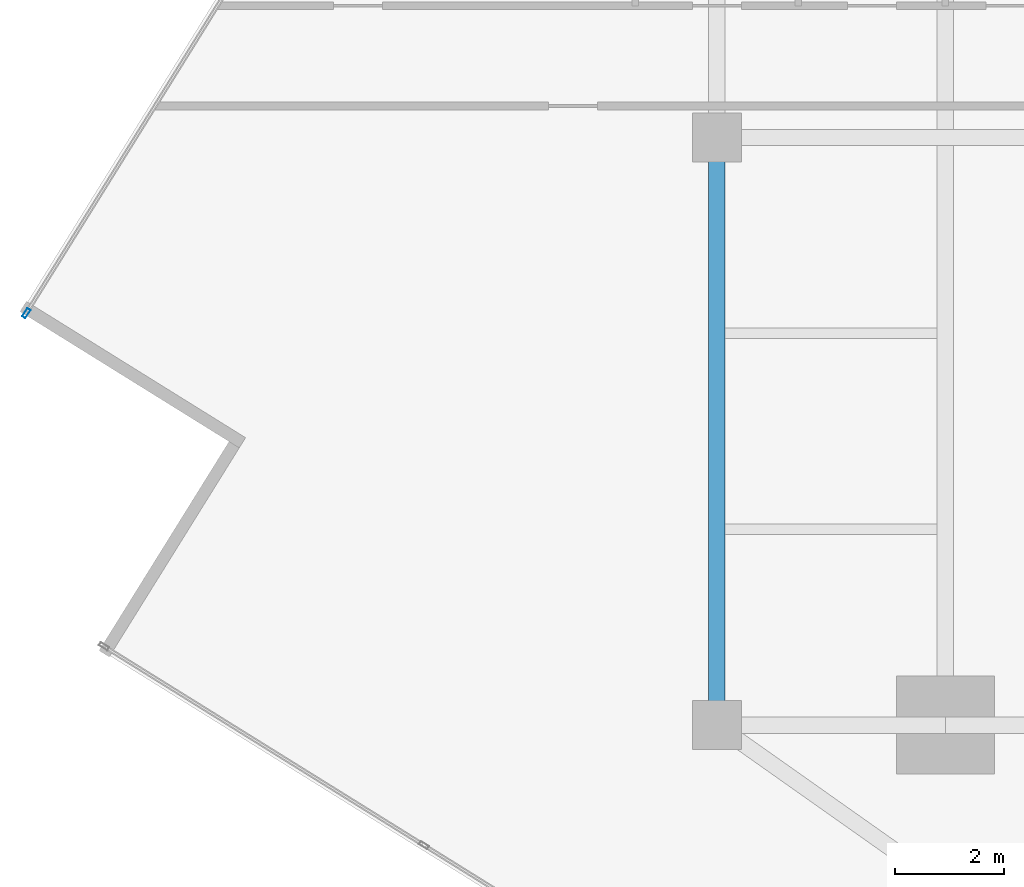
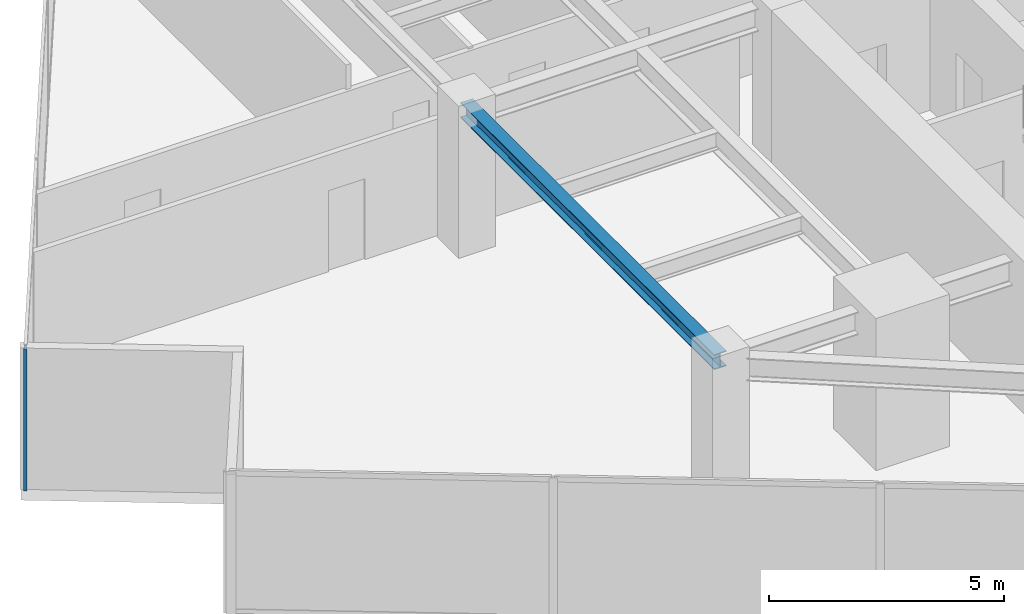
# One storey, part 6 of 25: 1 beam, 1 member, 1 element without a shape of its own.
"""IFC4 building model written with IfcOpenShell, lengths in metres."""

import ifcopenshell
import ifcopenshell.guid

model = None  # the IFC model being written
_history = None  # IfcOwnerHistory: only IFC2X3 demands one
_inside = {}  # id of a spatial element -> (the spatial element, [elements in it])
_under = {}  # id of a project, library or spatial element -> (it, [spatial elements below it])
_declared = {}  # id of a project -> (the project, [libraries it declares])
_typed = {}  # id of a type object -> (the type object, [elements of that type])
_made_of = {}  # id of a material, layer set ... -> (it, [elements and type objects made of it])


def new_model(schema):
    """Start an empty IFC model of exactly this schema.

    Asked for "IFC4X3", IfcOpenShell would pick the latest addendum, in which some entities
    have other attributes; the version numbers below select the first issue.
    IFC2X3 requires an IfcOwnerHistory on every rooted entity: one is made here for all.
    """
    global model, _history
    if schema == "IFC4X3":
        model = ifcopenshell.file(schema_version=(4, 3, 0, 0))
    else:
        model = ifcopenshell.file(schema=schema)
    _inside.clear()
    _under.clear()
    _declared.clear()
    _typed.clear()
    _made_of.clear()
    _history = None
    if model.schema == "IFC2X3":
        org = make("IfcOrganization", Name="unknown")
        user = make(
            "IfcPersonAndOrganization",
            ThePerson=make("IfcPerson", FamilyName="unknown"),
            TheOrganization=org,
        )
        app = make(
            "IfcApplication",
            ApplicationDeveloper=org,
            Version="unknown",
            ApplicationFullName="unknown",
            ApplicationIdentifier="unknown",
        )
        _history = make(
            "IfcOwnerHistory",
            OwningUser=user,
            OwningApplication=app,
            ChangeAction="ADDED",
            CreationDate=0,
        )
    return model


def make(cls, **values):
    """One entity of the class cls with the attributes given. An attribute that is None is left unset."""
    return model.create_entity(
        cls, **{name: value for name, value in values.items() if value is not None}
    )


def rooted(cls, **values):
    """An entity with a GlobalId (a new one), such as an element, a storey or a relation."""
    return make(cls, GlobalId=ifcopenshell.guid.new(), OwnerHistory=_history, **values)


def si_unit(unit_type, name, prefix=None):
    """IfcSIUnit, for example si_unit("LENGTHUNIT", "METRE", prefix="MILLI")."""
    return make("IfcSIUnit", UnitType=unit_type, Prefix=prefix, Name=name)


def assignment(units):
    """IfcUnitAssignment: the units of a project."""
    return None if units is None else make("IfcUnitAssignment", Units=units)


def point(xyz):
    """IfcCartesianPoint."""
    return None if xyz is None else make("IfcCartesianPoint", Coordinates=xyz)


def direction(xyz):
    """IfcDirection."""
    return None if xyz is None else make("IfcDirection", DirectionRatios=xyz)


def frame(location, z_axis=None, x_axis=None):
    """IfcAxis2Placement3D, a coordinate frame: its origin and axes. An axis left out is left unset."""
    return make(
        "IfcAxis2Placement3D",
        Location=point(location),
        Axis=direction(z_axis),
        RefDirection=direction(x_axis),
    )


def frame_2d(location, x_axis=None):
    """IfcAxis2Placement2D, a coordinate frame in the plane: its origin and x axis."""
    return make(
        "IfcAxis2Placement2D", Location=point(location), RefDirection=direction(x_axis)
    )


def origin():
    """The frame at (0, 0, 0) with its axes left unset."""
    return frame((0.0, 0.0, 0.0))


def origin_2d():
    """The frame at (0, 0) in the plane with its x axis left unset."""
    return frame_2d((0.0, 0.0))


def place(relative_to, where):
    """IfcLocalPlacement: puts the frame where relative to a parent placement (None: the world)."""
    return make(
        "IfcLocalPlacement", PlacementRelTo=relative_to, RelativePlacement=where
    )


def context(
    kind, dimensions, precision=None, world=None, true_north=None, identifier=None
):
    """IfcGeometricRepresentationContext, for example the 3D "Model" context."""
    return make(
        "IfcGeometricRepresentationContext",
        ContextIdentifier=identifier,
        ContextType=kind,
        CoordinateSpaceDimension=dimensions,
        Precision=precision,
        WorldCoordinateSystem=world,
        TrueNorth=true_north,
    )


def subcontext(parent, identifier, kind, view, scale=None):
    """IfcGeometricRepresentationSubContext, for example "Body" below "Model"."""
    return make(
        "IfcGeometricRepresentationSubContext",
        ContextIdentifier=identifier,
        ContextType=kind,
        ParentContext=parent,
        TargetScale=scale,
        TargetView=view,
    )


def project(units=None, contexts=None):
    """IfcProject with its units and contexts."""
    return rooted(
        "IfcProject",
        Name="project",
        RepresentationContexts=contexts,
        UnitsInContext=assignment(units),
    )


def spatial(cls, under=None, at=None, **own):
    """A site, building, storey or space (cls), placed at a placement, below another one or the project."""
    s = rooted(cls, ObjectPlacement=at, **own)
    if under is not None:
        _under.setdefault(under.id(), (under, []))[1].append(s)
    return s


def profile(cls, at=None, kind="AREA", **sizes):
    """A parametric profile (cls). Its sizes go by their IFC names, for example OverallWidth=200.0."""
    return make(cls, ProfileType=kind, Position=at, **sizes)


def hollow_rectangle(**sizes):
    """IfcRectangleHollowProfileDef."""
    return profile("IfcRectangleHollowProfileDef", **sizes)


def i_section(**sizes):
    """IfcIShapeProfileDef."""
    return profile("IfcIShapeProfileDef", **sizes)


def extrude(swept, where, along, depth):
    """IfcExtrudedAreaSolid: the profile swept, set in the frame where, extruded along a direction by depth."""
    return make(
        "IfcExtrudedAreaSolid",
        SweptArea=swept,
        Position=where,
        ExtrudedDirection=direction(along),
        Depth=depth,
    )


def shape(context_of_items, identifier, shape_type, items):
    """IfcShapeRepresentation: the items that make up one representation, for example the "Body"."""
    return make(
        "IfcShapeRepresentation",
        ContextOfItems=context_of_items,
        RepresentationIdentifier=identifier,
        RepresentationType=shape_type,
        Items=items,
    )


def source(mapping_origin, context_of_items, identifier, shape_type, items):
    """IfcRepresentationMap: a shape defined once, which mapped items show again and again."""
    return make(
        "IfcRepresentationMap",
        MappingOrigin=mapping_origin,
        MappedRepresentation=shape(context_of_items, identifier, shape_type, items),
    )


def transform(
    local_origin,
    x_axis=None,
    y_axis=None,
    z_axis=None,
    scale=None,
    scale2=None,
    scale3=None,
    uniform=True,
):
    """IfcCartesianTransformationOperator3D, or its non-uniform kind. x_axis, y_axis, z_axis: its Axis1, 2, 3."""
    if uniform:
        return make(
            "IfcCartesianTransformationOperator3D",
            Axis1=direction(x_axis),
            Axis2=direction(y_axis),
            LocalOrigin=point(local_origin),
            Scale=scale,
            Axis3=direction(z_axis),
        )
    return make(
        "IfcCartesianTransformationOperator3DnonUniform",
        Axis1=direction(x_axis),
        Axis2=direction(y_axis),
        LocalOrigin=point(local_origin),
        Scale=scale,
        Axis3=direction(z_axis),
        Scale2=scale2,
        Scale3=scale3,
    )


def mapped(mapping_source, mapping_target):
    """IfcMappedItem: shows the shape of a source again, moved by a transform."""
    return make(
        "IfcMappedItem", MappingSource=mapping_source, MappingTarget=mapping_target
    )


def material(Name=None, Category=None):
    """IfcMaterial."""
    return make("IfcMaterial", Name=Name, Category=Category)


def material_profile(
    of_material, cross_section, Name=None, Category=None, Priority=None
):
    """IfcMaterialProfile: a cross section and its material."""
    return make(
        "IfcMaterialProfile",
        Name=Name,
        Material=of_material,
        Profile=cross_section,
        Priority=Priority,
        Category=Category,
    )


def profile_set(profiles, Name=None, composite=None):
    """IfcMaterialProfileSet."""
    return make(
        "IfcMaterialProfileSet",
        Name=Name,
        MaterialProfiles=profiles,
        CompositeProfile=composite,
    )


def made_of(thing, what):
    """Note that an element or type object is made of a material, layer set ...; save() writes the relation."""
    if what is not None:
        _made_of.setdefault(what.id(), (what, []))[1].append(thing)
    return thing


def type_object(cls, material=None, **own):
    """A type object (cls), such as IfcWallType, which elements share."""
    return made_of(rooted(cls, **own), material)


def type_shapes(of_type, sources):
    """Give a type object the sources (RepresentationMaps) that its elements show as mapped items."""
    of_type.RepresentationMaps = sources


def element(
    cls,
    number,
    at=None,
    inside=None,
    cuts=None,
    type_object=None,
    material=None,
    context=None,
    identifier="Body",
    shape_type=None,
    held_by="IfcProductDefinitionShape",
    body=None,
    shapes=None,
    **own,
):
    """One element of the class cls, such as IfcWall. Its Tag is "e" and its number.

    at: its placement. inside: the storey or other place that contains it. cuts: it is an
    opening in that element (IfcRelVoidsElement). A single representation is given by context,
    identifier, shape_type and body (its items); several are given by shapes. held_by: the class
    of the entity that holds the representations. save() writes the other relations.
    """
    e = rooted(cls, Tag="e%d" % number, ObjectPlacement=at, **own)
    if body is not None:
        shapes = [shape(context, identifier, shape_type, body)]
    if shapes is not None:
        e.Representation = make(held_by, Representations=shapes)
    if inside is not None:
        _inside.setdefault(inside.id(), (inside, []))[1].append(e)
    if cuts is not None:
        rooted(
            "IfcRelVoidsElement", RelatingBuildingElement=cuts, RelatedOpeningElement=e
        )
    if type_object is not None:
        _typed.setdefault(type_object.id(), (type_object, []))[1].append(e)
    return made_of(e, material)


def aggregate(whole, parts):
    """IfcRelAggregates: a whole, such as a stair, and the parts it consists of."""
    return rooted("IfcRelAggregates", RelatingObject=whole, RelatedObjects=parts)


def save(model, path):
    """Write the relations noted so far, then the file.

    IfcRelAggregates (storeys below a building ...), IfcRelContainedInSpatialStructure (elements
    in a storey), IfcRelDefinesByType, IfcRelAssociatesMaterial and IfcRelDeclares: one each for
    every whole, place, type object, material and project.
    """
    for whole, parts in _under.values():
        aggregate(whole, parts)
    for where, things in _inside.values():
        rooted(
            "IfcRelContainedInSpatialStructure",
            RelatedElements=things,
            RelatingStructure=where,
        )
    for kind, things in _typed.values():
        rooted("IfcRelDefinesByType", RelatedObjects=things, RelatingType=kind)
    for what, things in _made_of.values():
        rooted("IfcRelAssociatesMaterial", RelatedObjects=things, RelatingMaterial=what)
    for by, libraries in _declared.values():
        rooted("IfcRelDeclares", RelatingContext=by, RelatedDefinitions=libraries)
    model.write(path)


model = new_model("IFC4")

# Units and contexts
model_context = context("Model", 3, precision=1e-05, world=origin(), true_north=direction((0.0, 1.0)))
body_context = subcontext(model_context, "Body", "Model", "MODEL_VIEW")
ifc_project = project(units=[si_unit("LENGTHUNIT", "METRE"), si_unit("AREAUNIT", "SQUARE_METRE"), si_unit("VOLUMEUNIT", "CUBIC_METRE"), si_unit("PLANEANGLEUNIT", "RADIAN"), si_unit("MASSUNIT", "GRAM", prefix="KILO")], contexts=[model_context])

# Site, building, storey
site_placement = place(None, origin())
site = spatial("IfcSite", under=ifc_project, at=site_placement, CompositionType="ELEMENT")
building_placement = place(site_placement, origin())
building = spatial("IfcBuilding", under=site, at=building_placement, Name="Krantzveldt Concourse Tower", CompositionType="ELEMENT")
storey_placement = place(building_placement, frame((0.0, 0.0, 177.800048828125)))
storey = spatial("IfcBuildingStorey", under=building, at=storey_placement, Name="L43", CompositionType="ELEMENT", Elevation=177.800048828125)

# Beam
ifc_material_1 = material(Name="Steel S355JR", Category="steel")
ifc_material_profile_1 = material_profile(ifc_material_1, i_section(OverallWidth=0.300048828125, OverallDepth=0.389892578125, WebThickness=0.010986328125, FlangeThickness=0.01904296875, FilletRadius=0.027099609375, at=origin_2d()), Name="Steel S355JR", Category="steel")
ifc_profile_set_1 = profile_set([ifc_material_profile_1], Name="Steel S355JR - HEA 400")
beam_type = type_object("IfcBeamType", Name="BM-SP-HEA400", PredefinedType="SPANDREL", material=ifc_profile_set_1)
shared_shape_1 = source(origin(), body_context, "Body", "SweptSolid", [
    extrude(i_section(OverallWidth=0.300048828125, OverallDepth=0.389892578125, WebThickness=0.010986328125, FlangeThickness=0.01904296875, FilletRadius=0.027099609375, at=origin_2d()), origin(), (0.0, 0.0, 1.0), 10.800048828125),
])
type_shapes(beam_type, [shared_shape_1])
beam_placement = place(storey_placement, frame((21.0, 15.89990234375, 3.474853515625), z_axis=(0.0, 1.0, 0.0), x_axis=(-1.0, 0.0, 0.0)))
element("IfcBeam", 1, at=beam_placement, inside=storey, type_object=beam_type, Name="L43 Tower Girder SP-R01", PredefinedType="SPANDREL", context=body_context, shape_type="MappedRepresentation", body=[
    mapped(shared_shape_1, transform((0.0, 0.0, 0.0), x_axis=(1.0, 0.0, 0.0), y_axis=(0.0, 1.0, 0.0), z_axis=(0.0, 0.0, 1.0), scale=1.0)),
])

# Curtain wall, member
ifc_material_2 = material(Name="Anodised aluminium 6063-T6", Category="aluminium")
curtain_wall_type = type_object("IfcCurtainWallType", Name="CW3", PredefinedType="USERDEFINED", material=ifc_material_2)
curtain_wall_placement = place(storey_placement, origin())
curtain_wall = element("IfcCurtainWall", 2, at=curtain_wall_placement, inside=storey, type_object=curtain_wall_type, Name="CW-L43-F01", ObjectType="UNITISED CURTAIN WALL", PredefinedType="USERDEFINED")
ifc_material_profile_2 = material_profile(ifc_material_2, hollow_rectangle(XDim=0.070068359375, YDim=0.179931640625, WallThickness=0.0048828125, at=origin_2d()), Name="Anodised aluminium 6063-T6", Category="aluminium")
ifc_profile_set_2 = profile_set([ifc_material_profile_2], Name="Anodised aluminium 6063-T6 - ALU-MULL 180x70x5")
member_type = type_object("IfcMemberType", Name="CW-MUL-180", PredefinedType="MULLION", material=ifc_profile_set_2)
shared_shape_2 = source(origin(), body_context, "Body", "SweptSolid", [
    extrude(hollow_rectangle(XDim=0.070068359375, YDim=0.179931640625, WallThickness=0.0048828125, at=origin_2d()), origin(), (0.0, 0.0, 1.0), 3.669921875),
])
type_shapes(member_type, [shared_shape_2])
member_placement = place(storey_placement, frame((8.30908203125, 23.470703125, 0.0), z_axis=(0.0, 0.0, 1.0), x_axis=(0.84920214961, -0.528067901977, 0.0)))
member = element("IfcMember", 3, at=member_placement, type_object=member_type, Name="CW-Z34 mullion 6", PredefinedType="MULLION", context=body_context, shape_type="MappedRepresentation", body=[
    mapped(shared_shape_2, transform((0.0, 0.0, 0.0), x_axis=(1.0, 0.0, 0.0), y_axis=(0.0, 1.0, 0.0), z_axis=(0.0, 0.0, 1.0), scale=1.0)),
])
aggregate(curtain_wall, [member])

save(model, "model.ifc")
